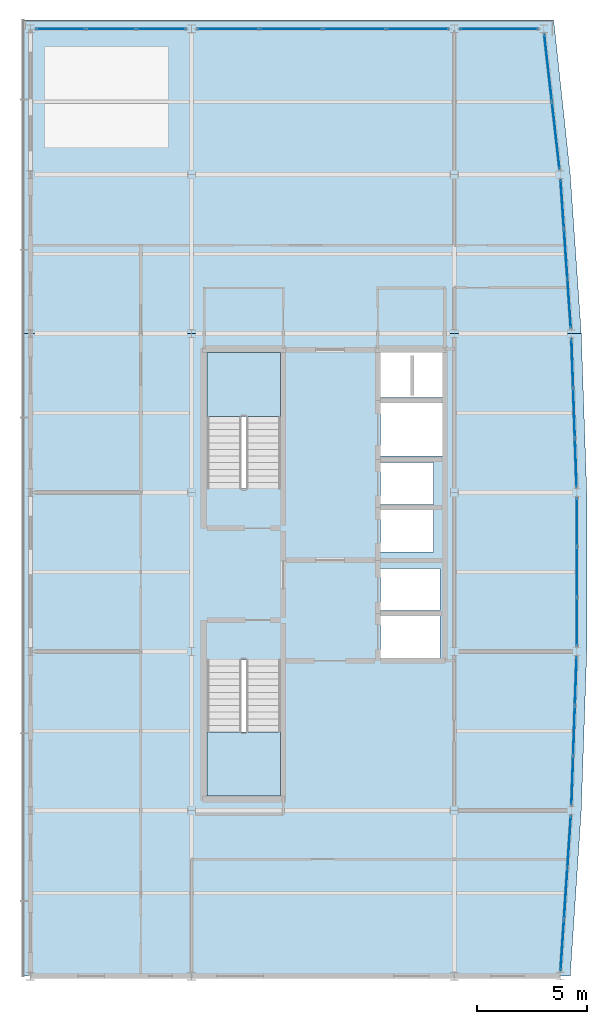
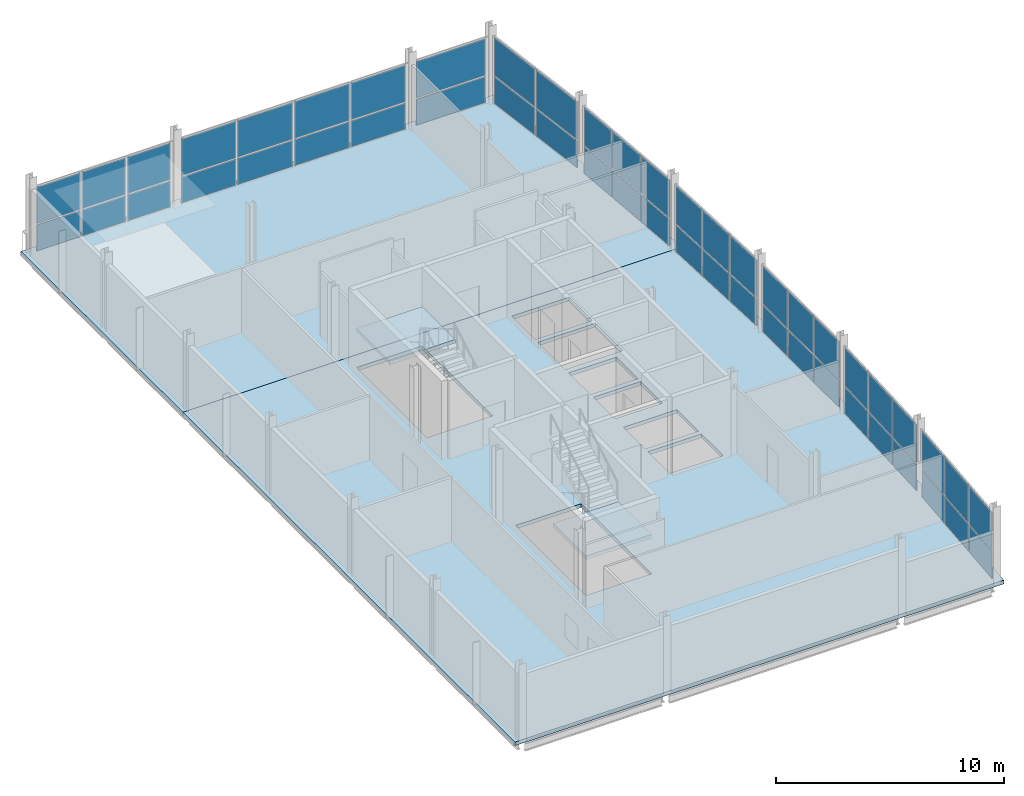
# One storey, part 10 of 17: 50 plates, 4 slabs, 11 elements without a shape of their own.
"""IFC4 building model written with IfcOpenShell, lengths in metres."""

from ifc_helpers import new_model, si_unit, direction, frame, origin, origin_2d, place, context, subcontext, project, spatial, polyline, rectangle, outline, extrude, material, layer, layer_set, type_object, element, aggregate, save


model = new_model("IFC4")

# Units and contexts
model_context = context("Model", 3, precision=1e-05, world=origin(), true_north=direction((0.0, 1.0)))
body_context = subcontext(model_context, "Body", "Model", "MODEL_VIEW")
ifc_project = project(units=[si_unit("LENGTHUNIT", "METRE"), si_unit("AREAUNIT", "SQUARE_METRE"), si_unit("VOLUMEUNIT", "CUBIC_METRE"), si_unit("PLANEANGLEUNIT", "RADIAN"), si_unit("MASSUNIT", "GRAM", prefix="KILO")], contexts=[model_context])

# Site, building, storey
site_placement = place(None, origin())
site = spatial("IfcSite", under=ifc_project, at=site_placement, CompositionType="ELEMENT")
building_placement = place(site_placement, origin())
building = spatial("IfcBuilding", under=site, at=building_placement, Name="Quillay Park Conservatory", CompositionType="ELEMENT")
storey_placement = place(building_placement, frame((0.0, 0.0, 56.10009765625)))
storey = spatial("IfcBuildingStorey", under=building, at=storey_placement, Name="L13", CompositionType="ELEMENT", Elevation=56.10009765625)

# Curtain wall, plates
ifc_material_1 = material(Name="Thermally Broken Anodised Aluminium 6063-T6", Category="aluminium")
ifc_layer_1 = layer(ifc_material_1, 0.179931640625)
ifc_layer_set_1 = layer_set([ifc_layer_1], Name="UNITISED CURTAIN WALL TOWER (Thermally Broken Anodised Aluminium 6063-T6)")
curtain_wall_type = type_object("IfcCurtainWallType", Name="UNITISED CURTAIN WALL TOWER", PredefinedType="USERDEFINED", material=ifc_layer_set_1)
curtain_wall_1_placement = place(storey_placement, origin())
curtain_wall_1 = element("IfcCurtainWall", 1, at=curtain_wall_1_placement, inside=storey, type_object=curtain_wall_type, Name="L13 Unitised Curtain Wall 122", ObjectType="UNITISED CURTAIN WALL", PredefinedType="USERDEFINED")
ifc_material_2 = material(Name="Low-E Double Glazing (Laminated Tempered)", Category="glass")
ifc_layer_2 = layer(ifc_material_2, 0.028076171875)
ifc_layer_set_2 = layer_set([ifc_layer_2], Name="CURTAIN WALL GLAZED PANEL 28 (Low-E Double Glazing (Laminated Tempered))")
plate_type = type_object("IfcPlateType", Name="CURTAIN WALL GLAZED PANEL 28", PredefinedType="CURTAIN_PANEL", material=ifc_layer_set_2)
plate_1_placement = place(storey_placement, frame((24.95654296875, 76.599365234375, 0.06982421875), z_axis=(0.0, 0.0, 1.0), x_axis=(-0.0665208758, -0.997785033503, 0.0)))
plate_1 = element("IfcPlate", 2, at=plate_1_placement, type_object=plate_type, Name="CW-T1 panel 1.1", PredefinedType="CURTAIN_PANEL", context=body_context, shape_type="SweptSolid", body=[
    extrude(rectangle(XDim=2.26708984375, YDim=0.028076171875, at=origin_2d()), origin(), (0.0, 0.0, 1.0), 1.43505859375),
])
plate_2_placement = place(storey_placement, frame((24.95654296875, 76.599365234375, 1.574951171875), z_axis=(0.0, 0.0, 1.0), x_axis=(-0.0665208758, -0.997785033503, 0.0)))
plate_2 = element("IfcPlate", 3, at=plate_2_placement, type_object=plate_type, Name="CW-T1 panel 1.2", PredefinedType="CURTAIN_PANEL", context=body_context, shape_type="SweptSolid", body=[
    extrude(rectangle(XDim=2.26708984375, YDim=0.028076171875, at=origin_2d()), origin(), (0.0, 0.0, 1.0), 2.02197265625),
])
plate_3_placement = place(storey_placement, frame((24.800048828125, 74.25, 0.06982421875), z_axis=(0.0, 0.0, 1.0), x_axis=(-0.0665208758, -0.997785033503, 0.0)))
plate_3 = element("IfcPlate", 4, at=plate_3_placement, type_object=plate_type, Name="CW-T1 panel 2.1", PredefinedType="CURTAIN_PANEL", context=body_context, shape_type="SweptSolid", body=[
    extrude(rectangle(XDim=2.30224609375, YDim=0.028076171875, at=origin_2d()), origin(), (0.0, 0.0, 1.0), 1.43505859375),
])
plate_4_placement = place(storey_placement, frame((24.800048828125, 74.25, 1.574951171875), z_axis=(0.0, 0.0, 1.0), x_axis=(-0.0665208758, -0.997785033503, 0.0)))
plate_4 = element("IfcPlate", 5, at=plate_4_placement, type_object=plate_type, Name="CW-T1 panel 2.2", PredefinedType="CURTAIN_PANEL", context=body_context, shape_type="SweptSolid", body=[
    extrude(rectangle(XDim=2.30224609375, YDim=0.028076171875, at=origin_2d()), origin(), (0.0, 0.0, 1.0), 2.02197265625),
])
plate_5_placement = place(storey_placement, frame((24.643310546875, 71.900634765625, 0.06982421875), z_axis=(0.0, 0.0, 1.0), x_axis=(-0.0665208758, -0.997785033503, 0.0)))
plate_5 = element("IfcPlate", 6, at=plate_5_placement, type_object=plate_type, Name="CW-T1 panel 3.1", PredefinedType="CURTAIN_PANEL", context=body_context, shape_type="SweptSolid", body=[
    extrude(rectangle(XDim=2.26708984375, YDim=0.028076171875, at=origin_2d()), origin(), (0.0, 0.0, 1.0), 1.43505859375),
])
plate_6_placement = place(storey_placement, frame((24.643310546875, 71.900634765625, 1.574951171875), z_axis=(0.0, 0.0, 1.0), x_axis=(-0.0665208758, -0.997785033503, 0.0)))
plate_6 = element("IfcPlate", 7, at=plate_6_placement, type_object=plate_type, Name="CW-T1 panel 3.2", PredefinedType="CURTAIN_PANEL", context=body_context, shape_type="SweptSolid", body=[
    extrude(rectangle(XDim=2.26708984375, YDim=0.028076171875, at=origin_2d()), origin(), (0.0, 0.0, 1.0), 2.02197265625),
])
aggregate(curtain_wall_1, [plate_1, plate_2, plate_3, plate_4, plate_5, plate_6])

curtain_wall_2_placement = place(storey_placement, origin())
curtain_wall_2 = element("IfcCurtainWall", 8, at=curtain_wall_2_placement, inside=storey, type_object=curtain_wall_type, Name="L13 Unitised Curtain Wall 123", ObjectType="UNITISED CURTAIN WALL", PredefinedType="USERDEFINED")
plate_7_placement = place(storey_placement, frame((25.253173828125, 83.849365234375, 0.06982421875), z_axis=(0.0, 0.0, 1.0), x_axis=(-0.034713338537, -0.999397310446, 0.0)))
plate_7 = element("IfcPlate", 9, at=plate_7_placement, type_object=plate_type, Name="CW-T1 panel 1.1", PredefinedType="CURTAIN_PANEL", context=body_context, shape_type="SweptSolid", body=[
    extrude(rectangle(XDim=2.1630859375, YDim=0.028076171875, at=origin_2d()), origin(), (0.0, 0.0, 1.0), 1.43505859375),
])
plate_8_placement = place(storey_placement, frame((25.253173828125, 83.849365234375, 1.574951171875), z_axis=(0.0, 0.0, 1.0), x_axis=(-0.034713338537, -0.999397310446, 0.0)))
plate_8 = element("IfcPlate", 10, at=plate_8_placement, type_object=plate_type, Name="CW-T1 panel 1.2", PredefinedType="CURTAIN_PANEL", context=body_context, shape_type="SweptSolid", body=[
    extrude(rectangle(XDim=2.1630859375, YDim=0.028076171875, at=origin_2d()), origin(), (0.0, 0.0, 1.0), 2.02197265625),
])
plate_9_placement = place(storey_placement, frame((25.175048828125, 81.60009765625, 0.06982421875), z_axis=(0.0, 0.0, 1.0), x_axis=(-0.034713338537, -0.999397310446, 0.0)))
plate_9 = element("IfcPlate", 11, at=plate_9_placement, type_object=plate_type, Name="CW-T1 panel 2.1", PredefinedType="CURTAIN_PANEL", context=body_context, shape_type="SweptSolid", body=[
    extrude(rectangle(XDim=2.197998046875, YDim=0.028076171875, at=origin_2d()), origin(), (0.0, 0.0, 1.0), 1.43505859375),
])
plate_10_placement = place(storey_placement, frame((25.175048828125, 81.60009765625, 1.574951171875), z_axis=(0.0, 0.0, 1.0), x_axis=(-0.034713338537, -0.999397310446, 0.0)))
plate_10 = element("IfcPlate", 12, at=plate_10_placement, type_object=plate_type, Name="CW-T1 panel 2.2", PredefinedType="CURTAIN_PANEL", context=body_context, shape_type="SweptSolid", body=[
    extrude(rectangle(XDim=2.197998046875, YDim=0.028076171875, at=origin_2d()), origin(), (0.0, 0.0, 1.0), 2.02197265625),
])
plate_11_placement = place(storey_placement, frame((25.096923828125, 79.350830078125, 0.06982421875), z_axis=(0.0, 0.0, 1.0), x_axis=(-0.034713338537, -0.999397310446, 0.0)))
plate_11 = element("IfcPlate", 13, at=plate_11_placement, type_object=plate_type, Name="CW-T1 panel 3.1", PredefinedType="CURTAIN_PANEL", context=body_context, shape_type="SweptSolid", body=[
    extrude(rectangle(XDim=2.1630859375, YDim=0.028076171875, at=origin_2d()), origin(), (0.0, 0.0, 1.0), 1.43505859375),
])
plate_12_placement = place(storey_placement, frame((25.096923828125, 79.350830078125, 1.574951171875), z_axis=(0.0, 0.0, 1.0), x_axis=(-0.034713338537, -0.999397310446, 0.0)))
plate_12 = element("IfcPlate", 14, at=plate_12_placement, type_object=plate_type, Name="CW-T1 panel 3.2", PredefinedType="CURTAIN_PANEL", context=body_context, shape_type="SweptSolid", body=[
    extrude(rectangle(XDim=2.1630859375, YDim=0.028076171875, at=origin_2d()), origin(), (0.0, 0.0, 1.0), 2.02197265625),
])
aggregate(curtain_wall_2, [plate_7, plate_8, plate_9, plate_10, plate_11, plate_12])

curtain_wall_3_placement = place(storey_placement, origin())
curtain_wall_3 = element("IfcCurtainWall", 15, at=curtain_wall_3_placement, inside=storey, type_object=curtain_wall_type, Name="L13 Unitised Curtain Wall 124", ObjectType="UNITISED CURTAIN WALL", PredefinedType="USERDEFINED")
plate_13_placement = place(storey_placement, frame((25.300048828125, 91.049072265625, 0.06982421875), z_axis=(0.0, 0.0, 1.0), x_axis=(0.0, -1.0, 0.0)))
plate_13 = element("IfcPlate", 16, at=plate_13_placement, type_object=plate_type, Name="CW-T1 panel 1.1", PredefinedType="CURTAIN_PANEL", context=body_context, shape_type="SweptSolid", body=[
    extrude(rectangle(XDim=2.16162109375, YDim=0.028076171875, at=origin_2d()), origin(), (0.0, 0.0, 1.0), 1.43505859375),
])
plate_14_placement = place(storey_placement, frame((25.300048828125, 91.049072265625, 1.574951171875), z_axis=(0.0, 0.0, 1.0), x_axis=(0.0, -1.0, 0.0)))
plate_14 = element("IfcPlate", 17, at=plate_14_placement, type_object=plate_type, Name="CW-T1 panel 1.2", PredefinedType="CURTAIN_PANEL", context=body_context, shape_type="SweptSolid", body=[
    extrude(rectangle(XDim=2.16162109375, YDim=0.028076171875, at=origin_2d()), origin(), (0.0, 0.0, 1.0), 2.02197265625),
])
plate_15_placement = place(storey_placement, frame((25.300048828125, 88.800048828125, 0.06982421875), z_axis=(0.0, 0.0, 1.0), x_axis=(0.0, -1.0, 0.0)))
plate_15 = element("IfcPlate", 18, at=plate_15_placement, type_object=plate_type, Name="CW-T1 panel 2.1", PredefinedType="CURTAIN_PANEL", context=body_context, shape_type="SweptSolid", body=[
    extrude(rectangle(XDim=2.19677734375, YDim=0.028076171875, at=origin_2d()), origin(), (0.0, 0.0, 1.0), 1.43505859375),
])
plate_16_placement = place(storey_placement, frame((25.300048828125, 88.800048828125, 1.574951171875), z_axis=(0.0, 0.0, 1.0), x_axis=(0.0, -1.0, 0.0)))
plate_16 = element("IfcPlate", 19, at=plate_16_placement, type_object=plate_type, Name="CW-T1 panel 2.2", PredefinedType="CURTAIN_PANEL", context=body_context, shape_type="SweptSolid", body=[
    extrude(rectangle(XDim=2.19677734375, YDim=0.028076171875, at=origin_2d()), origin(), (0.0, 0.0, 1.0), 2.02197265625),
])
plate_17_placement = place(storey_placement, frame((25.300048828125, 86.55078125, 0.06982421875), z_axis=(0.0, 0.0, 1.0), x_axis=(0.0, -1.0, 0.0)))
plate_17 = element("IfcPlate", 20, at=plate_17_placement, type_object=plate_type, Name="CW-T1 panel 3.1", PredefinedType="CURTAIN_PANEL", context=body_context, shape_type="SweptSolid", body=[
    extrude(rectangle(XDim=2.16162109375, YDim=0.028076171875, at=origin_2d()), origin(), (0.0, 0.0, 1.0), 1.43505859375),
])
plate_18_placement = place(storey_placement, frame((25.300048828125, 86.55078125, 1.574951171875), z_axis=(0.0, 0.0, 1.0), x_axis=(0.0, -1.0, 0.0)))
plate_18 = element("IfcPlate", 21, at=plate_18_placement, type_object=plate_type, Name="CW-T1 panel 3.2", PredefinedType="CURTAIN_PANEL", context=body_context, shape_type="SweptSolid", body=[
    extrude(rectangle(XDim=2.16162109375, YDim=0.028076171875, at=origin_2d()), origin(), (0.0, 0.0, 1.0), 2.02197265625),
])
aggregate(curtain_wall_3, [plate_13, plate_14, plate_15, plate_16, plate_17, plate_18])

curtain_wall_4_placement = place(storey_placement, origin())
curtain_wall_4 = element("IfcCurtainWall", 22, at=curtain_wall_4_placement, inside=storey, type_object=curtain_wall_type, Name="L13 Unitised Curtain Wall 125", ObjectType="UNITISED CURTAIN WALL", PredefinedType="USERDEFINED")
plate_19_placement = place(storey_placement, frame((25.096923828125, 98.249267578125, 0.06982421875), z_axis=(0.0, 0.0, 1.0), x_axis=(0.034713338537, -0.999397310446, 0.0)))
plate_19 = element("IfcPlate", 23, at=plate_19_placement, type_object=plate_type, Name="CW-T1 panel 1.1", PredefinedType="CURTAIN_PANEL", context=body_context, shape_type="SweptSolid", body=[
    extrude(rectangle(XDim=2.1630859375, YDim=0.028076171875, at=origin_2d()), origin(), (0.0, 0.0, 1.0), 1.43505859375),
])
plate_20_placement = place(storey_placement, frame((25.096923828125, 98.249267578125, 1.574951171875), z_axis=(0.0, 0.0, 1.0), x_axis=(0.034713338537, -0.999397310446, 0.0)))
plate_20 = element("IfcPlate", 24, at=plate_20_placement, type_object=plate_type, Name="CW-T1 panel 1.2", PredefinedType="CURTAIN_PANEL", context=body_context, shape_type="SweptSolid", body=[
    extrude(rectangle(XDim=2.1630859375, YDim=0.028076171875, at=origin_2d()), origin(), (0.0, 0.0, 1.0), 2.02197265625),
])
plate_21_placement = place(storey_placement, frame((25.175048828125, 96.0, 0.06982421875), z_axis=(0.0, 0.0, 1.0), x_axis=(0.034713338537, -0.999397310446, 0.0)))
plate_21 = element("IfcPlate", 25, at=plate_21_placement, type_object=plate_type, Name="CW-T1 panel 2.1", PredefinedType="CURTAIN_PANEL", context=body_context, shape_type="SweptSolid", body=[
    extrude(rectangle(XDim=2.197998046875, YDim=0.028076171875, at=origin_2d()), origin(), (0.0, 0.0, 1.0), 1.43505859375),
])
plate_22_placement = place(storey_placement, frame((25.175048828125, 96.0, 1.574951171875), z_axis=(0.0, 0.0, 1.0), x_axis=(0.034713338537, -0.999397310446, 0.0)))
plate_22 = element("IfcPlate", 26, at=plate_22_placement, type_object=plate_type, Name="CW-T1 panel 2.2", PredefinedType="CURTAIN_PANEL", context=body_context, shape_type="SweptSolid", body=[
    extrude(rectangle(XDim=2.197998046875, YDim=0.028076171875, at=origin_2d()), origin(), (0.0, 0.0, 1.0), 2.02197265625),
])
plate_23_placement = place(storey_placement, frame((25.253173828125, 93.750732421875, 0.06982421875), z_axis=(0.0, 0.0, 1.0), x_axis=(0.034713338537, -0.999397310446, 0.0)))
plate_23 = element("IfcPlate", 27, at=plate_23_placement, type_object=plate_type, Name="CW-T1 panel 3.1", PredefinedType="CURTAIN_PANEL", context=body_context, shape_type="SweptSolid", body=[
    extrude(rectangle(XDim=2.1630859375, YDim=0.028076171875, at=origin_2d()), origin(), (0.0, 0.0, 1.0), 1.43505859375),
])
plate_24_placement = place(storey_placement, frame((25.253173828125, 93.750732421875, 1.574951171875), z_axis=(0.0, 0.0, 1.0), x_axis=(0.034713338537, -0.999397310446, 0.0)))
plate_24 = element("IfcPlate", 28, at=plate_24_placement, type_object=plate_type, Name="CW-T1 panel 3.2", PredefinedType="CURTAIN_PANEL", context=body_context, shape_type="SweptSolid", body=[
    extrude(rectangle(XDim=2.1630859375, YDim=0.028076171875, at=origin_2d()), origin(), (0.0, 0.0, 1.0), 2.02197265625),
])
aggregate(curtain_wall_4, [plate_19, plate_20, plate_21, plate_22, plate_23, plate_24])

curtain_wall_5_placement = place(storey_placement, origin())
curtain_wall_5 = element("IfcCurtainWall", 29, at=curtain_wall_5_placement, inside=storey, type_object=curtain_wall_type, Name="L13 Unitised Curtain Wall 126", ObjectType="UNITISED CURTAIN WALL", PredefinedType="USERDEFINED")
plate_25_placement = place(storey_placement, frame((24.643798828125, 105.449462890625, 0.06982421875), z_axis=(0.0, 0.0, 1.0), x_axis=(0.069264217159, -0.99759835015, 0.0)))
plate_25 = element("IfcPlate", 30, at=plate_25_placement, type_object=plate_type, Name="CW-T1 panel 1.1", PredefinedType="CURTAIN_PANEL", context=body_context, shape_type="SweptSolid", body=[
    extrude(rectangle(XDim=2.16748046875, YDim=0.028076171875, at=origin_2d()), origin(), (0.0, 0.0, 1.0), 1.43505859375),
])
plate_26_placement = place(storey_placement, frame((24.643798828125, 105.449462890625, 1.574951171875), z_axis=(0.0, 0.0, 1.0), x_axis=(0.069264217159, -0.99759835015, 0.0)))
plate_26 = element("IfcPlate", 31, at=plate_26_placement, type_object=plate_type, Name="CW-T1 panel 1.2", PredefinedType="CURTAIN_PANEL", context=body_context, shape_type="SweptSolid", body=[
    extrude(rectangle(XDim=2.16748046875, YDim=0.028076171875, at=origin_2d()), origin(), (0.0, 0.0, 1.0), 2.02197265625),
])
plate_27_placement = place(storey_placement, frame((24.800048828125, 103.199951171875, 0.06982421875), z_axis=(0.0, 0.0, 1.0), x_axis=(0.069264217159, -0.99759835015, 0.0)))
plate_27 = element("IfcPlate", 32, at=plate_27_placement, type_object=plate_type, Name="CW-T1 panel 2.1", PredefinedType="CURTAIN_PANEL", context=body_context, shape_type="SweptSolid", body=[
    extrude(rectangle(XDim=2.202392578125, YDim=0.028076171875, at=origin_2d()), origin(), (0.0, 0.0, 1.0), 1.43505859375),
])
plate_28_placement = place(storey_placement, frame((24.800048828125, 103.199951171875, 1.574951171875), z_axis=(0.0, 0.0, 1.0), x_axis=(0.069264217159, -0.99759835015, 0.0)))
plate_28 = element("IfcPlate", 33, at=plate_28_placement, type_object=plate_type, Name="CW-T1 panel 2.2", PredefinedType="CURTAIN_PANEL", context=body_context, shape_type="SweptSolid", body=[
    extrude(rectangle(XDim=2.202392578125, YDim=0.028076171875, at=origin_2d()), origin(), (0.0, 0.0, 1.0), 2.02197265625),
])
plate_29_placement = place(storey_placement, frame((24.956298828125, 100.950439453125, 0.06982421875), z_axis=(0.0, 0.0, 1.0), x_axis=(0.069264217159, -0.99759835015, 0.0)))
plate_29 = element("IfcPlate", 34, at=plate_29_placement, type_object=plate_type, Name="CW-T1 panel 3.1", PredefinedType="CURTAIN_PANEL", context=body_context, shape_type="SweptSolid", body=[
    extrude(rectangle(XDim=2.16748046875, YDim=0.028076171875, at=origin_2d()), origin(), (0.0, 0.0, 1.0), 1.43505859375),
])
plate_30_placement = place(storey_placement, frame((24.956298828125, 100.950439453125, 1.574951171875), z_axis=(0.0, 0.0, 1.0), x_axis=(0.069264217159, -0.99759835015, 0.0)))
plate_30 = element("IfcPlate", 35, at=plate_30_placement, type_object=plate_type, Name="CW-T1 panel 3.2", PredefinedType="CURTAIN_PANEL", context=body_context, shape_type="SweptSolid", body=[
    extrude(rectangle(XDim=2.16748046875, YDim=0.028076171875, at=origin_2d()), origin(), (0.0, 0.0, 1.0), 2.02197265625),
])
aggregate(curtain_wall_5, [plate_25, plate_26, plate_27, plate_28, plate_29, plate_30])

curtain_wall_6_placement = place(storey_placement, origin())
curtain_wall_6 = element("IfcCurtainWall", 36, at=curtain_wall_6_placement, inside=storey, type_object=curtain_wall_type, Name="L13 Unitised Curtain Wall 127", ObjectType="UNITISED CURTAIN WALL", PredefinedType="USERDEFINED")
plate_31_placement = place(storey_placement, frame((24.000732421875, 111.63330078125, 0.06982421875), z_axis=(0.0, 0.0, 1.0), x_axis=(0.112903218278, -0.993605989969, 0.0)))
plate_31 = element("IfcPlate", 37, at=plate_31_placement, type_object=plate_type, Name="CW-T1 panel 1.1", PredefinedType="CURTAIN_PANEL", context=body_context, shape_type="SweptSolid", body=[
    extrude(rectangle(XDim=3.016357421875, YDim=0.028076171875, at=origin_2d()), origin(), (0.0, 0.0, 1.0), 1.43505859375),
])
plate_32_placement = place(storey_placement, frame((24.000732421875, 111.63330078125, 1.574951171875), z_axis=(0.0, 0.0, 1.0), x_axis=(0.112903218278, -0.993605989969, 0.0)))
plate_32 = element("IfcPlate", 38, at=plate_32_placement, type_object=plate_type, Name="CW-T1 panel 1.2", PredefinedType="CURTAIN_PANEL", context=body_context, shape_type="SweptSolid", body=[
    extrude(rectangle(XDim=3.016357421875, YDim=0.028076171875, at=origin_2d()), origin(), (0.0, 0.0, 1.0), 2.02197265625),
])
plate_33_placement = place(storey_placement, frame((24.34912109375, 108.566650390625, 0.06982421875), z_axis=(0.0, 0.0, 1.0), x_axis=(0.112903218278, -0.993605989969, 0.0)))
plate_33 = element("IfcPlate", 39, at=plate_33_placement, type_object=plate_type, Name="CW-T1 panel 2.1", PredefinedType="CURTAIN_PANEL", context=body_context, shape_type="SweptSolid", body=[
    extrude(rectangle(XDim=3.016357421875, YDim=0.028076171875, at=origin_2d()), origin(), (0.0, 0.0, 1.0), 1.43505859375),
])
plate_34_placement = place(storey_placement, frame((24.34912109375, 108.566650390625, 1.574951171875), z_axis=(0.0, 0.0, 1.0), x_axis=(0.112903218278, -0.993605989969, 0.0)))
plate_34 = element("IfcPlate", 40, at=plate_34_placement, type_object=plate_type, Name="CW-T1 panel 2.2", PredefinedType="CURTAIN_PANEL", context=body_context, shape_type="SweptSolid", body=[
    extrude(rectangle(XDim=3.016357421875, YDim=0.028076171875, at=origin_2d()), origin(), (0.0, 0.0, 1.0), 2.02197265625),
])
aggregate(curtain_wall_6, [plate_31, plate_32, plate_33, plate_34])

curtain_wall_7_placement = place(storey_placement, origin())
curtain_wall_7 = element("IfcCurtainWall", 41, at=curtain_wall_7_placement, inside=storey, type_object=curtain_wall_type, Name="L13 Unitised Curtain Wall 128", ObjectType="UNITISED CURTAIN WALL", PredefinedType="USERDEFINED")
plate_35_placement = place(storey_placement, frame((1.91748046875, 113.39990234375, 0.06982421875), z_axis=(0.0, 0.0, 1.0), x_axis=(1.0, 0.0, 0.0)))
plate_35 = element("IfcPlate", 42, at=plate_35_placement, type_object=plate_type, Name="CW-T1 panel 1.1", PredefinedType="CURTAIN_PANEL", context=body_context, shape_type="SweptSolid", body=[
    extrude(rectangle(XDim=2.195068359375, YDim=0.028076171875, at=origin_2d()), origin(), (0.0, 0.0, 1.0), 1.3876953125),
])
plate_36_placement = place(storey_placement, frame((1.91748046875, 113.39990234375, 1.52783203125), z_axis=(0.0, 0.0, 1.0), x_axis=(1.0, 0.0, 0.0)))
plate_36 = element("IfcPlate", 43, at=plate_36_placement, type_object=plate_type, Name="CW-T1 panel 1.2", PredefinedType="CURTAIN_PANEL", context=body_context, shape_type="SweptSolid", body=[
    extrude(rectangle(XDim=2.195068359375, YDim=0.028076171875, at=origin_2d()), origin(), (0.0, 0.0, 1.0), 1.956298828125),
])
plate_37_placement = place(storey_placement, frame((4.199951171875, 113.39990234375, 0.06982421875), z_axis=(0.0, 0.0, 1.0), x_axis=(1.0, 0.0, 0.0)))
plate_37 = element("IfcPlate", 44, at=plate_37_placement, type_object=plate_type, Name="CW-T1 panel 2.1", PredefinedType="CURTAIN_PANEL", context=body_context, shape_type="SweptSolid", body=[
    extrude(rectangle(XDim=2.22998046875, YDim=0.028076171875, at=origin_2d()), origin(), (0.0, 0.0, 1.0), 1.3876953125),
])
plate_38_placement = place(storey_placement, frame((4.199951171875, 113.39990234375, 1.52783203125), z_axis=(0.0, 0.0, 1.0), x_axis=(1.0, 0.0, 0.0)))
plate_38 = element("IfcPlate", 45, at=plate_38_placement, type_object=plate_type, Name="CW-T1 panel 2.2", PredefinedType="CURTAIN_PANEL", context=body_context, shape_type="SweptSolid", body=[
    extrude(rectangle(XDim=2.22998046875, YDim=0.028076171875, at=origin_2d()), origin(), (0.0, 0.0, 1.0), 1.956298828125),
])
plate_39_placement = place(storey_placement, frame((6.482421875, 113.39990234375, 0.06982421875), z_axis=(0.0, 0.0, 1.0), x_axis=(1.0, 0.0, 0.0)))
plate_39 = element("IfcPlate", 46, at=plate_39_placement, type_object=plate_type, Name="CW-T1 panel 3.1", PredefinedType="CURTAIN_PANEL", context=body_context, shape_type="SweptSolid", body=[
    extrude(rectangle(XDim=2.195068359375, YDim=0.028076171875, at=origin_2d()), origin(), (0.0, 0.0, 1.0), 1.3876953125),
])
plate_40_placement = place(storey_placement, frame((6.482421875, 113.39990234375, 1.52783203125), z_axis=(0.0, 0.0, 1.0), x_axis=(1.0, 0.0, 0.0)))
plate_40 = element("IfcPlate", 47, at=plate_40_placement, type_object=plate_type, Name="CW-T1 panel 3.2", PredefinedType="CURTAIN_PANEL", context=body_context, shape_type="SweptSolid", body=[
    extrude(rectangle(XDim=2.195068359375, YDim=0.028076171875, at=origin_2d()), origin(), (0.0, 0.0, 1.0), 1.956298828125),
])
aggregate(curtain_wall_7, [plate_35, plate_36, plate_37, plate_38, plate_39, plate_40])

curtain_wall_8_placement = place(storey_placement, origin())
curtain_wall_8 = element("IfcCurtainWall", 48, at=curtain_wall_8_placement, inside=storey, type_object=curtain_wall_type, Name="L13 Unitised Curtain Wall 129", ObjectType="UNITISED CURTAIN WALL", PredefinedType="USERDEFINED")
plate_41_placement = place(storey_placement, frame((9.5048828125, 113.39990234375, 0.06982421875), z_axis=(0.0, 0.0, 1.0), x_axis=(1.0, 0.0, 0.0)))
plate_41 = element("IfcPlate", 49, at=plate_41_placement, type_object=plate_type, Name="CW-T1 panel 1.1", PredefinedType="CURTAIN_PANEL", context=body_context, shape_type="SweptSolid", body=[
    extrude(rectangle(XDim=2.77001953125, YDim=0.028076171875, at=origin_2d()), origin(), (0.0, 0.0, 1.0), 1.3876953125),
])
plate_42_placement = place(storey_placement, frame((9.5048828125, 113.39990234375, 1.52783203125), z_axis=(0.0, 0.0, 1.0), x_axis=(1.0, 0.0, 0.0)))
plate_42 = element("IfcPlate", 50, at=plate_42_placement, type_object=plate_type, Name="CW-T1 panel 1.2", PredefinedType="CURTAIN_PANEL", context=body_context, shape_type="SweptSolid", body=[
    extrude(rectangle(XDim=2.77001953125, YDim=0.028076171875, at=origin_2d()), origin(), (0.0, 0.0, 1.0), 1.956298828125),
])
plate_43_placement = place(storey_placement, frame((12.362548828125, 113.39990234375, 0.06982421875), z_axis=(0.0, 0.0, 1.0), x_axis=(1.0, 0.0, 0.0)))
plate_43 = element("IfcPlate", 51, at=plate_43_placement, type_object=plate_type, Name="CW-T1 panel 2.1", PredefinedType="CURTAIN_PANEL", context=body_context, shape_type="SweptSolid", body=[
    extrude(rectangle(XDim=2.804931640625, YDim=0.028076171875, at=origin_2d()), origin(), (0.0, 0.0, 1.0), 1.3876953125),
])
plate_44_placement = place(storey_placement, frame((12.362548828125, 113.39990234375, 1.52783203125), z_axis=(0.0, 0.0, 1.0), x_axis=(1.0, 0.0, 0.0)))
plate_44 = element("IfcPlate", 52, at=plate_44_placement, type_object=plate_type, Name="CW-T1 panel 2.2", PredefinedType="CURTAIN_PANEL", context=body_context, shape_type="SweptSolid", body=[
    extrude(rectangle(XDim=2.804931640625, YDim=0.028076171875, at=origin_2d()), origin(), (0.0, 0.0, 1.0), 1.956298828125),
])
plate_45_placement = place(storey_placement, frame((15.237548828125, 113.39990234375, 0.06982421875), z_axis=(0.0, 0.0, 1.0), x_axis=(1.0, 0.0, 0.0)))
plate_45 = element("IfcPlate", 53, at=plate_45_placement, type_object=plate_type, Name="CW-T1 panel 3.1", PredefinedType="CURTAIN_PANEL", context=body_context, shape_type="SweptSolid", body=[
    extrude(rectangle(XDim=2.804931640625, YDim=0.028076171875, at=origin_2d()), origin(), (0.0, 0.0, 1.0), 1.3876953125),
])
plate_46_placement = place(storey_placement, frame((15.237548828125, 113.39990234375, 1.52783203125), z_axis=(0.0, 0.0, 1.0), x_axis=(1.0, 0.0, 0.0)))
plate_46 = element("IfcPlate", 54, at=plate_46_placement, type_object=plate_type, Name="CW-T1 panel 3.2", PredefinedType="CURTAIN_PANEL", context=body_context, shape_type="SweptSolid", body=[
    extrude(rectangle(XDim=2.804931640625, YDim=0.028076171875, at=origin_2d()), origin(), (0.0, 0.0, 1.0), 1.956298828125),
])
plate_47_placement = place(storey_placement, frame((18.094970703125, 113.39990234375, 0.06982421875), z_axis=(0.0, 0.0, 1.0), x_axis=(1.0, 0.0, 0.0)))
plate_47 = element("IfcPlate", 55, at=plate_47_placement, type_object=plate_type, Name="CW-T1 panel 4.1", PredefinedType="CURTAIN_PANEL", context=body_context, shape_type="SweptSolid", body=[
    extrude(rectangle(XDim=2.77001953125, YDim=0.028076171875, at=origin_2d()), origin(), (0.0, 0.0, 1.0), 1.3876953125),
])
plate_48_placement = place(storey_placement, frame((18.094970703125, 113.39990234375, 1.52783203125), z_axis=(0.0, 0.0, 1.0), x_axis=(1.0, 0.0, 0.0)))
plate_48 = element("IfcPlate", 56, at=plate_48_placement, type_object=plate_type, Name="CW-T1 panel 4.2", PredefinedType="CURTAIN_PANEL", context=body_context, shape_type="SweptSolid", body=[
    extrude(rectangle(XDim=2.77001953125, YDim=0.028076171875, at=origin_2d()), origin(), (0.0, 0.0, 1.0), 1.956298828125),
])
aggregate(curtain_wall_8, [plate_41, plate_42, plate_43, plate_44, plate_45, plate_46, plate_47, plate_48])

curtain_wall_9_placement = place(storey_placement, origin())
curtain_wall_9 = element("IfcCurtainWall", 57, at=curtain_wall_9_placement, inside=storey, type_object=curtain_wall_type, Name="L13 Unitised Curtain Wall 130", ObjectType="UNITISED CURTAIN WALL", PredefinedType="USERDEFINED")
plate_49_placement = place(storey_placement, frame((21.77490234375, 113.39990234375, 0.06982421875), z_axis=(0.0, 0.0, 1.0), x_axis=(1.0, 0.0, 0.0)))
plate_49 = element("IfcPlate", 58, at=plate_49_placement, type_object=plate_type, Name="CW-T1 panel 1.1", PredefinedType="CURTAIN_PANEL", context=body_context, shape_type="SweptSolid", body=[
    extrude(rectangle(XDim=3.510009765625, YDim=0.028076171875, at=origin_2d()), origin(), (0.0, 0.0, 1.0), 1.3876953125),
])
plate_50_placement = place(storey_placement, frame((21.77490234375, 113.39990234375, 1.52783203125), z_axis=(0.0, 0.0, 1.0), x_axis=(1.0, 0.0, 0.0)))
plate_50 = element("IfcPlate", 59, at=plate_50_placement, type_object=plate_type, Name="CW-T1 panel 1.2", PredefinedType="CURTAIN_PANEL", context=body_context, shape_type="SweptSolid", body=[
    extrude(rectangle(XDim=3.510009765625, YDim=0.028076171875, at=origin_2d()), origin(), (0.0, 0.0, 1.0), 1.956298828125),
])
aggregate(curtain_wall_9, [plate_49, plate_50])

# Stair, slab
ifc_material_3 = material(Name="Concrete C35/45 (NCh170 Concrete C35/45)", Category="concrete")
stair_type = type_object("IfcStairType", Name="ENCLOSED DOG LEG STAIR 4200", PredefinedType="HALF_TURN_STAIR", material=ifc_material_3)
stair_1_placement = place(storey_placement, origin())
stair_1 = element("IfcStair", 60, at=stair_1_placement, inside=storey, type_object=stair_type, Name="L13 Tower Protected Exit Stair 1", PredefinedType="HALF_TURN_STAIR")
ifc_material_4 = material(Name="Concrete C35/45 (NCh170 Concrete C35/45)", Category="concrete")
ifc_layer_3 = layer(ifc_material_4, 0.199951171875)
ifc_layer_set_3 = layer_set([ifc_layer_3], Name="STAIR LANDING SLAB 200 (Concrete C35/45 (NCh170 Concrete C35/45))")
slab_type_1 = type_object("IfcSlabType", Name="STAIR LANDING SLAB 200", PredefinedType="LANDING", material=ifc_layer_set_3)
slab_1_placement = place(storey_placement, frame((0.0, 0.0, 1.89990234375)))
slab_1 = element("IfcSlab", 61, at=slab_1_placement, type_object=slab_type_1, Name="ST-T1 landing 1", PredefinedType="LANDING", context=body_context, shape_type="SweptSolid", body=[
    extrude(outline(polyline([(11.8701171875, 95.85009765625), (11.8701171875, 98.75), (8.550048828125, 98.75), (8.550048828125, 95.85009765625), (11.8701171875, 95.85009765625)])), origin(), (0.0, 0.0, 1.0), 0.199951171875),
])
aggregate(stair_1, [slab_1])

stair_2_placement = place(storey_placement, origin())
stair_2 = element("IfcStair", 62, at=stair_2_placement, inside=storey, type_object=stair_type, Name="L13 Tower Protected Exit Stair 2", PredefinedType="HALF_TURN_STAIR")
slab_2_placement = place(storey_placement, frame((0.0, 0.0, 1.89990234375)))
slab_2 = element("IfcSlab", 63, at=slab_2_placement, type_object=slab_type_1, Name="ST-T2 landing 1", PredefinedType="LANDING", context=body_context, shape_type="SweptSolid", body=[
    extrude(outline(polyline([(8.550048828125, 81.550048828125), (8.550048828125, 78.64990234375), (11.8701171875, 78.64990234375), (11.8701171875, 81.550048828125), (8.550048828125, 81.550048828125)])), origin(), (0.0, 0.0, 1.0), 0.199951171875),
])
aggregate(stair_2, [slab_2])

# Slabs
ifc_material_5 = material(Name="Concrete C35/45 (NCh170 Concrete C35/45)", Category="concrete")
ifc_layer_4 = layer(ifc_material_5, 0.199951171875)
ifc_layer_set_4 = layer_set([ifc_layer_4], Name="SUSPENDED FLOOR SLAB 180 (Concrete C35/45 (NCh170 Concrete C35/45))")
slab_type_2 = type_object("IfcSlabType", Name="SUSPENDED FLOOR SLAB 180", PredefinedType="FLOOR", material=ifc_layer_set_4)
slab_3_placement = place(storey_placement, frame((0.0, 0.0, -0.2001953125)))
element("IfcSlab", 64, at=slab_3_placement, inside=storey, type_object=slab_type_2, Name="L13 Research Tower South Chord Plate", PredefinedType="FLOOR", context=body_context, shape_type="SweptSolid", body=[
    extrude(outline(polyline([(0.25, 70.5), (25.0, 70.5), (25.5, 78.0), (25.75, 85.199951171875), (25.75, 92.39990234375), (25.5, 99.60009765625), (0.25, 99.60009765625), (0.25, 70.5)]), holes=[polyline([(8.550048828125, 92.580078125), (11.8701171875, 92.580078125), (11.8701171875, 98.75), (8.550048828125, 98.75), (8.550048828125, 92.580078125)]), polyline([(8.550048828125, 78.64990234375), (11.8701171875, 78.64990234375), (11.8701171875, 84.820068359375), (8.550048828125, 84.820068359375), (8.550048828125, 78.64990234375)]), polyline([(16.39990234375, 84.89990234375), (19.10009765625, 84.89990234375), (19.10009765625, 86.800048828125), (16.39990234375, 86.800048828125), (16.39990234375, 84.89990234375)]), polyline([(16.39990234375, 87.050048828125), (19.10009765625, 87.050048828125), (19.10009765625, 88.949951171875), (16.39990234375, 88.949951171875), (16.39990234375, 87.050048828125)]), polyline([(16.39990234375, 89.699951171875), (18.800048828125, 89.699951171875), (18.800048828125, 91.60009765625), (16.39990234375, 91.60009765625), (16.39990234375, 89.699951171875)]), polyline([(16.39990234375, 91.85009765625), (18.800048828125, 91.85009765625), (18.800048828125, 93.75), (16.39990234375, 93.75), (16.39990234375, 91.85009765625)]), polyline([(16.39990234375, 94.050048828125), (19.300048828125, 94.050048828125), (19.300048828125, 96.449951171875), (16.39990234375, 96.449951171875), (16.39990234375, 94.050048828125)]), polyline([(16.39990234375, 96.699951171875), (19.300048828125, 96.699951171875), (19.300048828125, 98.75), (16.39990234375, 98.75), (16.39990234375, 96.699951171875)])]), origin(), (0.0, 0.0, 1.0), 0.2001953125),
])
slab_4_placement = place(storey_placement, frame((0.0, 0.0, -0.2001953125)))
element("IfcSlab", 65, at=slab_4_placement, inside=storey, type_object=slab_type_2, Name="L13 Research Tower North Chord Plate", PredefinedType="FLOOR", context=body_context, shape_type="SweptSolid", body=[
    extrude(outline(polyline([(0.25, 99.60009765625), (25.5, 99.60009765625), (25.0, 106.800048828125), (24.25, 113.800048828125), (0.25, 113.800048828125), (0.25, 99.60009765625)])), origin(), (0.0, 0.0, 1.0), 0.2001953125),
])

save(model, "model.ifc")
